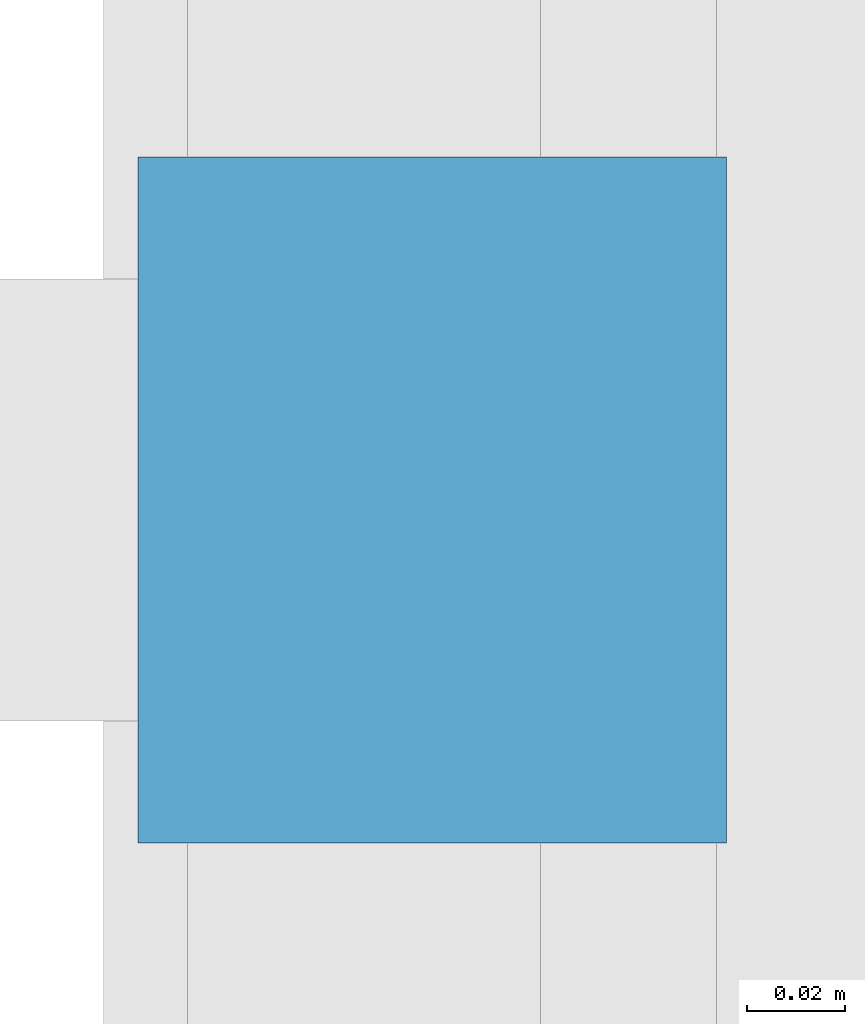
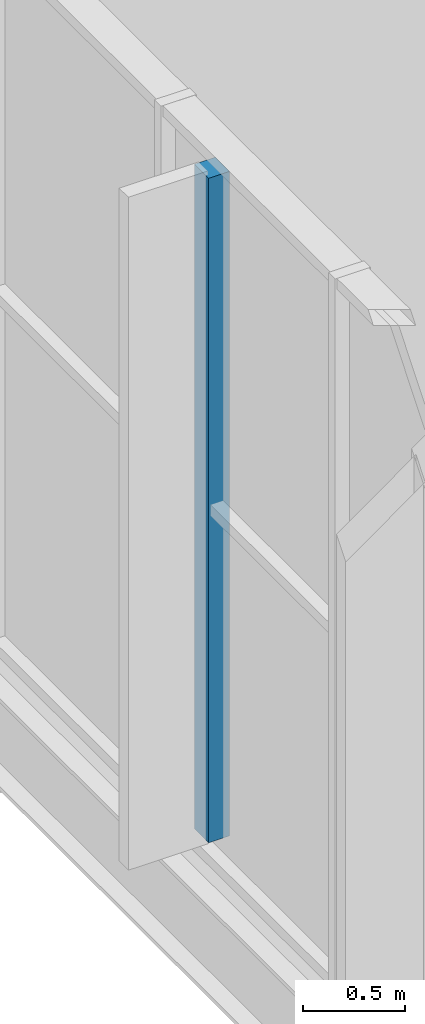
# One storey, part 93 of 103: 1 discrete accessory.
"""IFC4 building model written with IfcOpenShell, lengths in metres."""

from ifc_helpers import new_model, si_unit, direction, frame, origin, origin_2d, place, context, subcontext, project, spatial, rectangle, extrude, material, type_object, element, save


model = new_model("IFC4")

# Units and contexts
model_context = context("Model", 3, precision=1e-05, world=origin(), true_north=direction((0.0, 1.0)))
body_context = subcontext(model_context, "Body", "Model", "MODEL_VIEW")
ifc_project = project(units=[si_unit("LENGTHUNIT", "METRE"), si_unit("AREAUNIT", "SQUARE_METRE"), si_unit("VOLUMEUNIT", "CUBIC_METRE"), si_unit("PLANEANGLEUNIT", "RADIAN"), si_unit("MASSUNIT", "GRAM", prefix="KILO")], contexts=[model_context])

# Site, building, storey
site_placement = place(None, origin())
site = spatial("IfcSite", under=ifc_project, at=site_placement, CompositionType="ELEMENT")
building_placement = place(site_placement, origin())
building = spatial("IfcBuilding", under=site, at=building_placement, Name="Cazmaro Siding Exhibition Halls", CompositionType="ELEMENT")
storey_placement = place(building_placement, frame((0.0, 0.0, 16.5)))
storey = spatial("IfcBuildingStorey", under=building, at=storey_placement, Name="L03", CompositionType="ELEMENT", Elevation=16.5)

# Discrete accessory
ifc_material = material(Name="Steel ASTM A572 Grade 50", Category="steel")
discrete_accessory_type = type_object("IfcDiscreteAccessoryType", Name="SBK-01", PredefinedType="BRACKET", material=ifc_material)
discrete_accessory_placement = place(storey_placement, frame((-0.0400390625, 106.633056640625, 0.14990234375), z_axis=(0.0, 0.0, 1.0), x_axis=(1.0, 0.0, 0.0)))
element("IfcDiscreteAccessory", 1, at=discrete_accessory_placement, inside=storey, type_object=discrete_accessory_type, Name="Solar Fin Steel Support Bracket SBK-01 045", PredefinedType="BRACKET", context=body_context, shape_type="SweptSolid", body=[
    extrude(rectangle(XDim=0.1201171875, YDim=0.139892578125, at=origin_2d()), origin(), (0.0, 0.0, 1.0), 3.97998046875),
])

save(model, "model.ifc")
